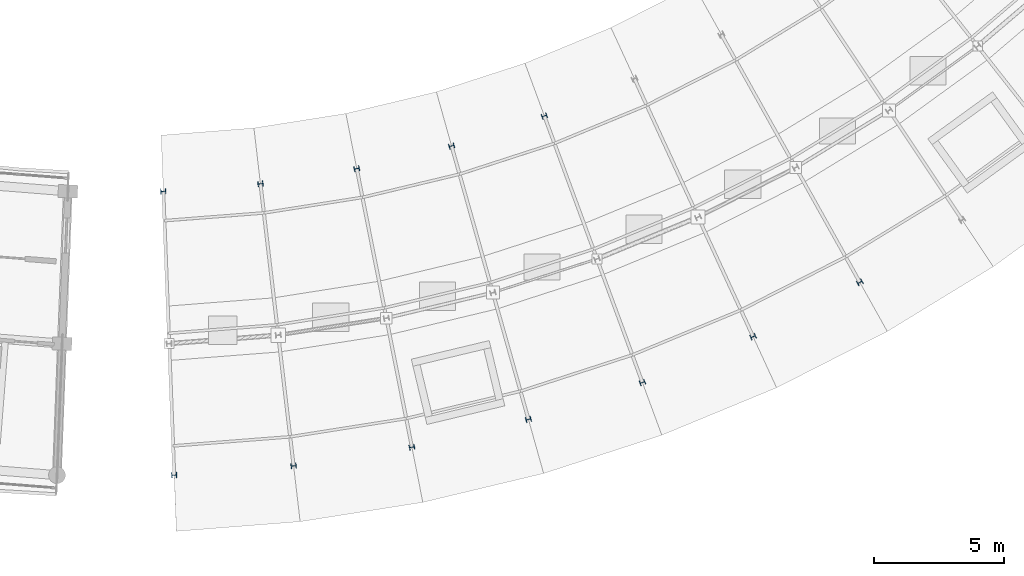
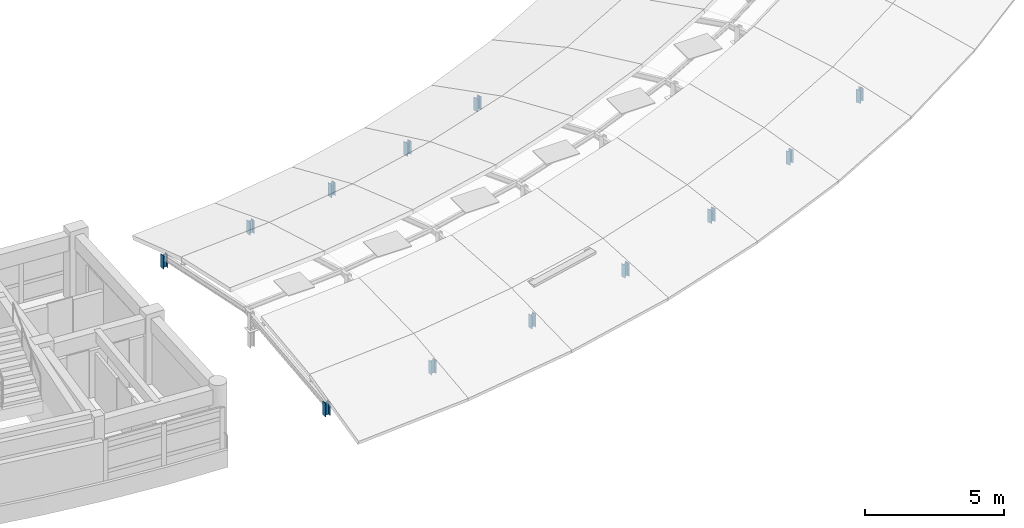
# One storey, part 6 of 50: 12 columns.
"""IFC4 building model written with IfcOpenShell, lengths in metres."""

from ifc_helpers import new_model, si_unit, direction, frame, origin, origin_2d, place, context, subcontext, project, spatial, i_section, extrude, material, material_profile, profile_set, type_object, element, save


model = new_model("IFC4")

# Units and contexts
model_context = context("Model", 3, precision=1e-05, world=origin(), true_north=direction((0.0, 1.0)))
body_context = subcontext(model_context, "Body", "Model", "MODEL_VIEW")
ifc_project = project(units=[si_unit("LENGTHUNIT", "METRE"), si_unit("AREAUNIT", "SQUARE_METRE"), si_unit("VOLUMEUNIT", "CUBIC_METRE"), si_unit("PLANEANGLEUNIT", "RADIAN"), si_unit("MASSUNIT", "GRAM", prefix="KILO")], contexts=[model_context])

# Site, building, storey
site_placement = place(None, origin())
site = spatial("IfcSite", under=ifc_project, at=site_placement, CompositionType="ELEMENT")
building_placement = place(site_placement, origin())
building = spatial("IfcBuilding", under=site, at=building_placement, Name="Zimvara Arc Housing Community", CompositionType="ELEMENT")
storey_placement = place(building_placement, frame((0.0, 0.0, 26.699951171875)))
storey = spatial("IfcBuildingStorey", under=building, at=storey_placement, Name="L08", CompositionType="ELEMENT", Elevation=26.699951171875)

# Columns
ifc_material = material(Name="Steel S355", Category="steel")
ifc_material_profile = material_profile(ifc_material, i_section(OverallWidth=0.199951171875, OverallDepth=0.199951171875, WebThickness=0.009033203125, FlangeThickness=0.014892578125, FilletRadius=0.01806640625, at=origin_2d()), Name="HEB 200")
ifc_profile_set = profile_set([ifc_material_profile], Name="Steel S355")
column_type = type_object("IfcColumnType", Name="COL-ST-HEB200", PredefinedType="COLUMN", material=ifc_profile_set)
for number, where, z_axis, x_axis, name in (
    (1, (127.819580078125, 61.975341796875, 0.0), (0.0, 0.0, 1.0), (0.038387809088, -0.999262916411, 0.0), "col:blkD:L08:ribpost1:g0"),
    (2, (128.240234375, 51.0234375, 0.0), (0.0, 0.0, 1.0), (0.038387809088, -0.999262916411, 0.0), "col:blkD:L08:ribpost3:g0"),
    (3, (131.57080078125, 62.267333984375, 0.0), (0.0, 0.0, 1.0), (0.116670737099, -0.993170649538, 0.0), "col:blkD:L08:ribpost1:g1"),
    (4, (132.849609375, 51.382080078125, 0.0), (0.0, 0.0, 1.0), (0.116670737099, -0.993170649538, 0.0), "col:blkD:L08:ribpost3:g1"),
    (5, (135.28759765625, 62.8525390625, 0.0), (0.0, 0.0, 1.0), (0.19423435122, -0.980955155349, 0.0), "col:blkD:L08:ribpost1:g2"),
    (6, (137.41650390625, 52.101318359375, 0.0), (0.0, 0.0, 1.0), (0.19423435122, -0.980955155349, 0.0), "col:blkD:L08:ribpost3:g2"),
    (7, (138.947265625, 63.727783203125, 0.0), (0.0, 0.0, 1.0), (0.270600445976, -0.962691746426, 0.0), "col:blkD:L08:ribpost1:g3"),
    (8, (141.912841796875, 53.1767578125, 0.0), (0.0, 0.0, 1.0), (0.270600445976, -0.962691746426, 0.0), "col:blkD:L08:ribpost3:g3"),
    (9, (142.526611328125, 64.887451171875, 0.0), (0.0, 0.0, 1.0), (0.345298198999, -0.93849302276, 0.0), "col:blkD:L08:ribpost1:g4"),
    (10, (146.311279296875, 54.6015625, 0.0), (0.0, 0.0, 1.0), (0.345298198999, -0.93849302276, 0.0), "col:blkD:L08:ribpost3:g4"),
    (11, (150.583984375, 56.366943359375, 0.0), (0.0, 0.0, 1.0), (0.417867073801, -0.908508177527, 0.0), "col:blkD:L08:ribpost3:g5"),
    (12, (154.705078125, 58.46240234375, 0.0), (0.0, 0.0, 1.0), (0.487859659139, -0.87292207727, 0.0), "col:blkD:L08:ribpost3:g6"),
):
    element("IfcColumn", number, at=place(storey_placement, frame(where, z_axis=z_axis, x_axis=x_axis)), inside=storey, type_object=column_type, Name=name, PredefinedType="COLUMN", context=body_context, shape_type="SweptSolid", body=[
        extrude(i_section(OverallWidth=0.199951171875, OverallDepth=0.199951171875, WebThickness=0.009033203125, FlangeThickness=0.014892578125, FilletRadius=0.01806640625, at=origin_2d()), origin(), (0.0, 0.0, 1.0), 0.582763671875),
    ])

save(model, "model.ifc")
